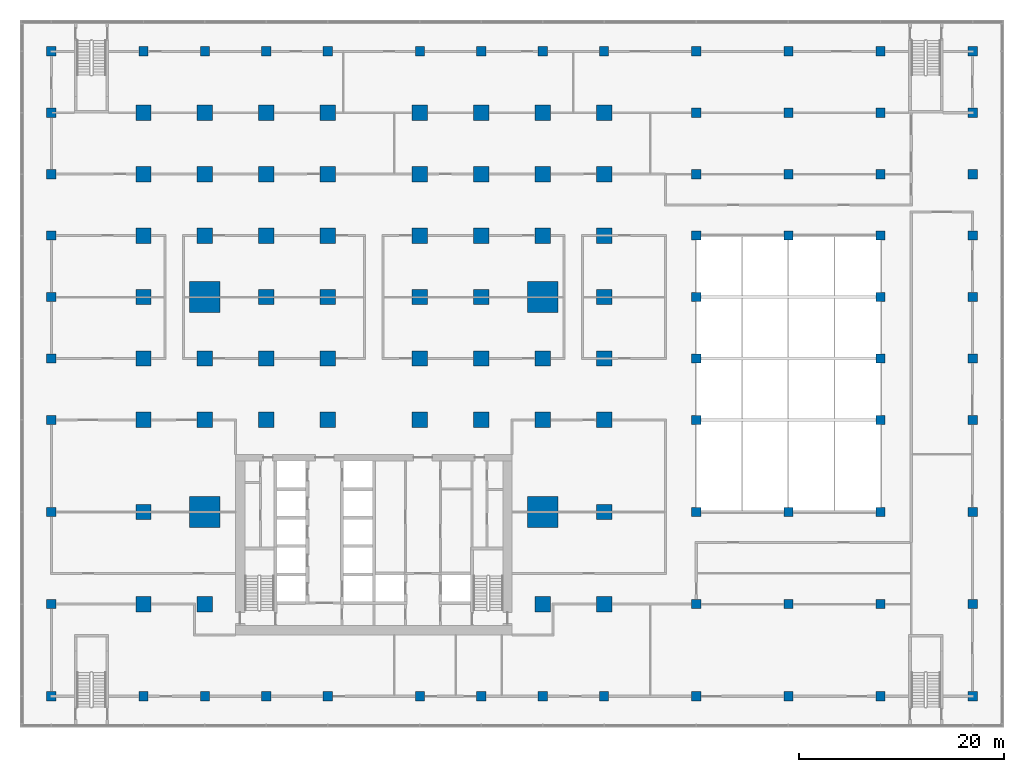
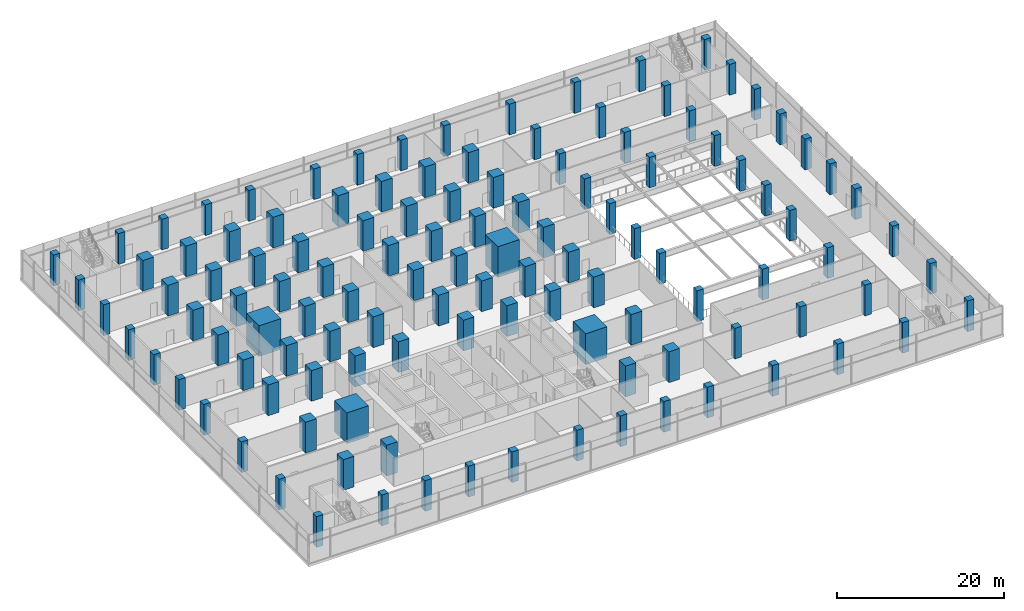
# One storey, part 1 of 22: 119 columns.
"""IFC4 building model written with IfcOpenShell, lengths in metres."""

from ifc_helpers import new_model, si_unit, direction, frame, origin, origin_2d, place, context, subcontext, project, spatial, rectangle, extrude, material, material_profile, profile_set, type_object, element, save


model = new_model("IFC4")

# Units and contexts
model_context = context("Model", 3, precision=1e-05, world=origin(), true_north=direction((0.0, 1.0)))
body_context = subcontext(model_context, "Body", "Model", "MODEL_VIEW")
ifc_project = project(units=[si_unit("LENGTHUNIT", "METRE"), si_unit("AREAUNIT", "SQUARE_METRE"), si_unit("VOLUMEUNIT", "CUBIC_METRE"), si_unit("PLANEANGLEUNIT", "RADIAN"), si_unit("MASSUNIT", "GRAM", prefix="KILO")], contexts=[model_context])

# Site, building, storey
site_placement = place(None, origin())
site = spatial("IfcSite", under=ifc_project, at=site_placement, CompositionType="ELEMENT")
building_placement = place(site_placement, origin())
building = spatial("IfcBuilding", under=site, at=building_placement, Name="Finial Court Residences", CompositionType="ELEMENT")
storey_placement = place(building_placement, frame((0.0, 0.0, 28.0)))
storey = spatial("IfcBuildingStorey", under=building, at=storey_placement, Name="L05", CompositionType="ELEMENT", Elevation=28.0)

# Columns
ifc_material_1 = material(Name="Concrete C80/95", Category="concrete")
ifc_material_profile_1 = material_profile(ifc_material_1, rectangle(XDim=1.5, YDim=1.5, at=origin_2d()), Name="1500x1500")
ifc_profile_set_1 = profile_set([ifc_material_profile_1], Name="Concrete C80/95")
column_type_1 = type_object("IfcColumnType", Name="Interior column 1500x1500 Concrete C80/95", PredefinedType="COLUMN", material=ifc_profile_set_1)
for number, where, z_axis, x_axis, name in (
    (1, (-22.5, -22.5, 0.0), (0.0, 0.0, 1.0), (1.0, 0.0, 0.0), "S:COL:L05:B2"),
    (2, (-22.5, -13.5, 0.0), (0.0, 0.0, 1.0), (1.0, 0.0, 0.0), "S:COL:L05:B3"),
    (3, (-22.5, -4.5, 0.0), (0.0, 0.0, 1.0), (1.0, 0.0, 0.0), "S:COL:L05:B4"),
    (4, (-22.5, 1.5, 0.0), (0.0, 0.0, 1.0), (1.0, 0.0, 0.0), "S:COL:L05:B5"),
    (5, (-22.5, 7.5, 0.0), (0.0, 0.0, 1.0), (1.0, 0.0, 0.0), "S:COL:L05:B6"),
    (6, (-22.5, 13.5, 0.0), (0.0, 0.0, 1.0), (1.0, 0.0, 0.0), "S:COL:L05:B7"),
    (7, (-22.5, 19.5, 0.0), (0.0, 0.0, 1.0), (1.0, 0.0, 0.0), "S:COL:L05:B8"),
    (8, (-22.5, 25.5, 0.0), (0.0, 0.0, 1.0), (1.0, 0.0, 0.0), "S:COL:L05:B9"),
    (9, (-16.5, -22.5, 0.0), (0.0, 0.0, 1.0), (1.0, 0.0, 0.0), "S:COL:L05:C2"),
    (10, (-16.5, -4.5, 0.0), (0.0, 0.0, 1.0), (1.0, 0.0, 0.0), "S:COL:L05:C4"),
    (11, (-16.5, 1.5, 0.0), (0.0, 0.0, 1.0), (1.0, 0.0, 0.0), "S:COL:L05:C5"),
    (12, (-16.5, 13.5, 0.0), (0.0, 0.0, 1.0), (1.0, 0.0, 0.0), "S:COL:L05:C7"),
    (13, (-16.5, 19.5, 0.0), (0.0, 0.0, 1.0), (1.0, 0.0, 0.0), "S:COL:L05:C8"),
    (14, (-16.5, 25.5, 0.0), (0.0, 0.0, 1.0), (1.0, 0.0, 0.0), "S:COL:L05:C9"),
    (15, (-10.5, -4.5, 0.0), (0.0, 0.0, 1.0), (1.0, 0.0, 0.0), "S:COL:L05:D4"),
    (16, (-10.5, 1.5, 0.0), (0.0, 0.0, 1.0), (1.0, 0.0, 0.0), "S:COL:L05:D5"),
    (17, (-10.5, 7.5, 0.0), (0.0, 0.0, 1.0), (1.0, 0.0, 0.0), "S:COL:L05:D6"),
    (18, (-10.5, 13.5, 0.0), (0.0, 0.0, 1.0), (1.0, 0.0, 0.0), "S:COL:L05:D7"),
    (19, (-10.5, 19.5, 0.0), (0.0, 0.0, 1.0), (1.0, 0.0, 0.0), "S:COL:L05:D8"),
    (20, (-10.5, 25.5, 0.0), (0.0, 0.0, 1.0), (1.0, 0.0, 0.0), "S:COL:L05:D9"),
    (21, (-4.5, -4.5, 0.0), (0.0, 0.0, 1.0), (1.0, 0.0, 0.0), "S:COL:L05:E4"),
    (22, (-4.5, 1.5, 0.0), (0.0, 0.0, 1.0), (1.0, 0.0, 0.0), "S:COL:L05:E5"),
    (23, (-4.5, 7.5, 0.0), (0.0, 0.0, 1.0), (1.0, 0.0, 0.0), "S:COL:L05:E6"),
    (24, (-4.5, 13.5, 0.0), (0.0, 0.0, 1.0), (1.0, 0.0, 0.0), "S:COL:L05:E7"),
    (25, (-4.5, 19.5, 0.0), (0.0, 0.0, 1.0), (1.0, 0.0, 0.0), "S:COL:L05:E8"),
    (26, (-4.5, 25.5, 0.0), (0.0, 0.0, 1.0), (1.0, 0.0, 0.0), "S:COL:L05:E9"),
    (27, (4.5, -4.5, 0.0), (0.0, 0.0, 1.0), (1.0, 0.0, 0.0), "S:COL:L05:F4"),
    (28, (4.5, 1.5, 0.0), (0.0, 0.0, 1.0), (1.0, 0.0, 0.0), "S:COL:L05:F5"),
    (29, (4.5, 7.5, 0.0), (0.0, 0.0, 1.0), (1.0, 0.0, 0.0), "S:COL:L05:F6"),
    (30, (4.5, 13.5, 0.0), (0.0, 0.0, 1.0), (1.0, 0.0, 0.0), "S:COL:L05:F7"),
    (31, (4.5, 19.5, 0.0), (0.0, 0.0, 1.0), (1.0, 0.0, 0.0), "S:COL:L05:F8"),
    (32, (4.5, 25.5, 0.0), (0.0, 0.0, 1.0), (1.0, 0.0, 0.0), "S:COL:L05:F9"),
    (33, (10.5, -4.5, 0.0), (0.0, 0.0, 1.0), (1.0, 0.0, 0.0), "S:COL:L05:G4"),
    (34, (10.5, 1.5, 0.0), (0.0, 0.0, 1.0), (1.0, 0.0, 0.0), "S:COL:L05:G5"),
    (35, (10.5, 7.5, 0.0), (0.0, 0.0, 1.0), (1.0, 0.0, 0.0), "S:COL:L05:G6"),
    (36, (10.5, 13.5, 0.0), (0.0, 0.0, 1.0), (1.0, 0.0, 0.0), "S:COL:L05:G7"),
    (37, (10.5, 19.5, 0.0), (0.0, 0.0, 1.0), (1.0, 0.0, 0.0), "S:COL:L05:G8"),
    (38, (10.5, 25.5, 0.0), (0.0, 0.0, 1.0), (1.0, 0.0, 0.0), "S:COL:L05:G9"),
    (39, (16.5, -22.5, 0.0), (0.0, 0.0, 1.0), (1.0, 0.0, 0.0), "S:COL:L05:H2"),
    (40, (16.5, -4.5, 0.0), (0.0, 0.0, 1.0), (1.0, 0.0, 0.0), "S:COL:L05:H4"),
    (41, (16.5, 1.5, 0.0), (0.0, 0.0, 1.0), (1.0, 0.0, 0.0), "S:COL:L05:H5"),
    (42, (16.5, 13.5, 0.0), (0.0, 0.0, 1.0), (1.0, 0.0, 0.0), "S:COL:L05:H7"),
    (43, (16.5, 19.5, 0.0), (0.0, 0.0, 1.0), (1.0, 0.0, 0.0), "S:COL:L05:H8"),
    (44, (16.5, 25.5, 0.0), (0.0, 0.0, 1.0), (1.0, 0.0, 0.0), "S:COL:L05:H9"),
    (45, (22.5, -22.5, 0.0), (0.0, 0.0, 1.0), (1.0, 0.0, 0.0), "S:COL:L05:I2"),
    (46, (22.5, -13.5, 0.0), (0.0, 0.0, 1.0), (1.0, 0.0, 0.0), "S:COL:L05:I3"),
    (47, (22.5, -4.5, 0.0), (0.0, 0.0, 1.0), (1.0, 0.0, 0.0), "S:COL:L05:I4"),
    (48, (22.5, 1.5, 0.0), (0.0, 0.0, 1.0), (1.0, 0.0, 0.0), "S:COL:L05:I5"),
    (49, (22.5, 7.5, 0.0), (0.0, 0.0, 1.0), (1.0, 0.0, 0.0), "S:COL:L05:I6"),
    (50, (22.5, 13.5, 0.0), (0.0, 0.0, 1.0), (1.0, 0.0, 0.0), "S:COL:L05:I7"),
    (51, (22.5, 19.5, 0.0), (0.0, 0.0, 1.0), (1.0, 0.0, 0.0), "S:COL:L05:I8"),
    (52, (22.5, 25.5, 0.0), (0.0, 0.0, 1.0), (1.0, 0.0, 0.0), "S:COL:L05:I9"),
):
    element("IfcColumn", number, at=place(storey_placement, frame(where, z_axis=z_axis, x_axis=x_axis)), inside=storey, type_object=column_type_1, Name=name, PredefinedType="COLUMN", context=body_context, shape_type="SweptSolid", body=[
        extrude(rectangle(XDim=1.5, YDim=1.5, at=origin_2d()), origin(), (0.0, 0.0, 1.0), 4.5),
    ])
ifc_material_profile_2 = material_profile(ifc_material_1, rectangle(XDim=3.0, YDim=3.0, at=origin_2d()), Name="3000x3000")
ifc_profile_set_2 = profile_set([ifc_material_profile_2], Name="Concrete C80/95")
column_type_2 = type_object("IfcColumnType", Name="Mega column 3000x3000 Concrete C80/95", PredefinedType="COLUMN", material=ifc_profile_set_2)
for number, where, z_axis, x_axis, name in (
    (53, (-16.5, -13.5, 0.0), (0.0, 0.0, 1.0), (1.0, 0.0, 0.0), "S:COL:L05:C3"),
    (54, (-16.5, 7.5, 0.0), (0.0, 0.0, 1.0), (1.0, 0.0, 0.0), "S:COL:L05:C6"),
    (55, (16.5, -13.5, 0.0), (0.0, 0.0, 1.0), (1.0, 0.0, 0.0), "S:COL:L05:H3"),
    (56, (16.5, 7.5, 0.0), (0.0, 0.0, 1.0), (1.0, 0.0, 0.0), "S:COL:L05:H6"),
):
    element("IfcColumn", number, at=place(storey_placement, frame(where, z_axis=z_axis, x_axis=x_axis)), inside=storey, type_object=column_type_2, Name=name, PredefinedType="COLUMN", context=body_context, shape_type="SweptSolid", body=[
        extrude(rectangle(XDim=3.0, YDim=3.0, at=origin_2d()), origin(), (0.0, 0.0, 1.0), 4.5),
    ])
ifc_material_2 = material(Name="Concrete C50/60", Category="concrete")
ifc_material_profile_3 = material_profile(ifc_material_2, rectangle(XDim=0.89990234375, YDim=0.89990234375, at=origin_2d()), Name="900x900")
ifc_profile_set_3 = profile_set([ifc_material_profile_3], Name="Concrete C50/60")
column_type_3 = type_object("IfcColumnType", Name="Podium column 900x900 Concrete C50/60", PredefinedType="COLUMN", material=ifc_profile_set_3)
for number, where, z_axis, x_axis, name in (
    (57, (-31.5, -31.5, 0.0), (0.0, 0.0, 1.0), (1.0, 0.0, 0.0), "S:COL:L05:A1"),
    (58, (-31.5, -22.5, 0.0), (0.0, 0.0, 1.0), (1.0, 0.0, 0.0), "S:COL:L05:A2"),
    (59, (-31.5, -13.5, 0.0), (0.0, 0.0, 1.0), (1.0, 0.0, 0.0), "S:COL:L05:A3"),
    (60, (-31.5, -4.5, 0.0), (0.0, 0.0, 1.0), (1.0, 0.0, 0.0), "S:COL:L05:A4"),
    (61, (-31.5, 1.5, 0.0), (0.0, 0.0, 1.0), (1.0, 0.0, 0.0), "S:COL:L05:A5"),
    (62, (-31.5, 7.5, 0.0), (0.0, 0.0, 1.0), (1.0, 0.0, 0.0), "S:COL:L05:A6"),
    (63, (-31.5, 13.5, 0.0), (0.0, 0.0, 1.0), (1.0, 0.0, 0.0), "S:COL:L05:A7"),
    (64, (-31.5, 19.5, 0.0), (0.0, 0.0, 1.0), (1.0, 0.0, 0.0), "S:COL:L05:A8"),
    (65, (-31.5, 25.5, 0.0), (0.0, 0.0, 1.0), (1.0, 0.0, 0.0), "S:COL:L05:A9"),
    (66, (-31.5, 31.5, 0.0), (0.0, 0.0, 1.0), (1.0, 0.0, 0.0), "S:COL:L05:A10"),
    (67, (-22.5, -31.5, 0.0), (0.0, 0.0, 1.0), (1.0, 0.0, 0.0), "S:COL:L05:B1"),
    (68, (-22.5, 31.5, 0.0), (0.0, 0.0, 1.0), (1.0, 0.0, 0.0), "S:COL:L05:B10"),
    (69, (-16.5, -31.5, 0.0), (0.0, 0.0, 1.0), (1.0, 0.0, 0.0), "S:COL:L05:C1"),
    (70, (-16.5, 31.5, 0.0), (0.0, 0.0, 1.0), (1.0, 0.0, 0.0), "S:COL:L05:C10"),
    (71, (-10.5, -31.5, 0.0), (0.0, 0.0, 1.0), (1.0, 0.0, 0.0), "S:COL:L05:D1"),
    (72, (-10.5, 31.5, 0.0), (0.0, 0.0, 1.0), (1.0, 0.0, 0.0), "S:COL:L05:D10"),
    (73, (-4.5, -31.5, 0.0), (0.0, 0.0, 1.0), (1.0, 0.0, 0.0), "S:COL:L05:E1"),
    (74, (-4.5, 31.5, 0.0), (0.0, 0.0, 1.0), (1.0, 0.0, 0.0), "S:COL:L05:E10"),
    (75, (4.5, -31.5, 0.0), (0.0, 0.0, 1.0), (1.0, 0.0, 0.0), "S:COL:L05:F1"),
    (76, (4.5, 31.5, 0.0), (0.0, 0.0, 1.0), (1.0, 0.0, 0.0), "S:COL:L05:F10"),
    (77, (10.5, -31.5, 0.0), (0.0, 0.0, 1.0), (1.0, 0.0, 0.0), "S:COL:L05:G1"),
    (78, (10.5, 31.5, 0.0), (0.0, 0.0, 1.0), (1.0, 0.0, 0.0), "S:COL:L05:G10"),
    (79, (16.5, -31.5, 0.0), (0.0, 0.0, 1.0), (1.0, 0.0, 0.0), "S:COL:L05:H1"),
    (80, (16.5, 31.5, 0.0), (0.0, 0.0, 1.0), (1.0, 0.0, 0.0), "S:COL:L05:H10"),
    (81, (22.5, -31.5, 0.0), (0.0, 0.0, 1.0), (1.0, 0.0, 0.0), "S:COL:L05:I1"),
    (82, (22.5, 31.5, 0.0), (0.0, 0.0, 1.0), (1.0, 0.0, 0.0), "S:COL:L05:I10"),
    (83, (31.5, -31.5, 0.0), (0.0, 0.0, 1.0), (1.0, 0.0, 0.0), "S:COL:L05:J1"),
    (84, (31.5, -22.5, 0.0), (0.0, 0.0, 1.0), (1.0, 0.0, 0.0), "S:COL:L05:J2"),
    (85, (31.5, -13.5, 0.0), (0.0, 0.0, 1.0), (1.0, 0.0, 0.0), "S:COL:L05:J3"),
    (86, (31.5, -4.5, 0.0), (0.0, 0.0, 1.0), (1.0, 0.0, 0.0), "S:COL:L05:J4"),
    (87, (31.5, 1.5, 0.0), (0.0, 0.0, 1.0), (1.0, 0.0, 0.0), "S:COL:L05:J5"),
    (88, (31.5, 7.5, 0.0), (0.0, 0.0, 1.0), (1.0, 0.0, 0.0), "S:COL:L05:J6"),
    (89, (31.5, 13.5, 0.0), (0.0, 0.0, 1.0), (1.0, 0.0, 0.0), "S:COL:L05:J7"),
    (90, (31.5, 19.5, 0.0), (0.0, 0.0, 1.0), (1.0, 0.0, 0.0), "S:COL:L05:J8"),
    (91, (31.5, 25.5, 0.0), (0.0, 0.0, 1.0), (1.0, 0.0, 0.0), "S:COL:L05:J9"),
    (92, (31.5, 31.5, 0.0), (0.0, 0.0, 1.0), (1.0, 0.0, 0.0), "S:COL:L05:J10"),
    (93, (40.5, -31.5, 0.0), (0.0, 0.0, 1.0), (1.0, 0.0, 0.0), "S:COL:L05:K1"),
    (94, (40.5, -22.5, 0.0), (0.0, 0.0, 1.0), (1.0, 0.0, 0.0), "S:COL:L05:K2"),
    (95, (40.5, -13.5, 0.0), (0.0, 0.0, 1.0), (1.0, 0.0, 0.0), "S:COL:L05:K3"),
    (96, (40.5, 13.5, 0.0), (0.0, 0.0, 1.0), (1.0, 0.0, 0.0), "S:COL:L05:K7"),
    (97, (40.5, 19.5, 0.0), (0.0, 0.0, 1.0), (1.0, 0.0, 0.0), "S:COL:L05:K8"),
    (98, (40.5, 25.5, 0.0), (0.0, 0.0, 1.0), (1.0, 0.0, 0.0), "S:COL:L05:K9"),
    (99, (40.5, 31.5, 0.0), (0.0, 0.0, 1.0), (1.0, 0.0, 0.0), "S:COL:L05:K10"),
    (100, (49.5, -31.5, 0.0), (0.0, 0.0, 1.0), (1.0, 0.0, 0.0), "S:COL:L05:L1"),
    (101, (49.5, -22.5, 0.0), (0.0, 0.0, 1.0), (1.0, 0.0, 0.0), "S:COL:L05:L2"),
    (102, (49.5, -13.5, 0.0), (0.0, 0.0, 1.0), (1.0, 0.0, 0.0), "S:COL:L05:L3"),
    (103, (49.5, -4.5, 0.0), (0.0, 0.0, 1.0), (1.0, 0.0, 0.0), "S:COL:L05:L4"),
    (104, (49.5, 1.5, 0.0), (0.0, 0.0, 1.0), (1.0, 0.0, 0.0), "S:COL:L05:L5"),
    (105, (49.5, 7.5, 0.0), (0.0, 0.0, 1.0), (1.0, 0.0, 0.0), "S:COL:L05:L6"),
    (106, (49.5, 13.5, 0.0), (0.0, 0.0, 1.0), (1.0, 0.0, 0.0), "S:COL:L05:L7"),
    (107, (49.5, 19.5, 0.0), (0.0, 0.0, 1.0), (1.0, 0.0, 0.0), "S:COL:L05:L8"),
    (108, (49.5, 25.5, 0.0), (0.0, 0.0, 1.0), (1.0, 0.0, 0.0), "S:COL:L05:L9"),
    (109, (49.5, 31.5, 0.0), (0.0, 0.0, 1.0), (1.0, 0.0, 0.0), "S:COL:L05:L10"),
    (110, (58.5, -31.5, 0.0), (0.0, 0.0, 1.0), (1.0, 0.0, 0.0), "S:COL:L05:M1"),
    (111, (58.5, -22.5, 0.0), (0.0, 0.0, 1.0), (1.0, 0.0, 0.0), "S:COL:L05:M2"),
    (112, (58.5, -13.5, 0.0), (0.0, 0.0, 1.0), (1.0, 0.0, 0.0), "S:COL:L05:M3"),
    (113, (58.5, -4.5, 0.0), (0.0, 0.0, 1.0), (1.0, 0.0, 0.0), "S:COL:L05:M4"),
    (114, (58.5, 1.5, 0.0), (0.0, 0.0, 1.0), (1.0, 0.0, 0.0), "S:COL:L05:M5"),
    (115, (58.5, 7.5, 0.0), (0.0, 0.0, 1.0), (1.0, 0.0, 0.0), "S:COL:L05:M6"),
    (116, (58.5, 13.5, 0.0), (0.0, 0.0, 1.0), (1.0, 0.0, 0.0), "S:COL:L05:M7"),
    (117, (58.5, 19.5, 0.0), (0.0, 0.0, 1.0), (1.0, 0.0, 0.0), "S:COL:L05:M8"),
    (118, (58.5, 25.5, 0.0), (0.0, 0.0, 1.0), (1.0, 0.0, 0.0), "S:COL:L05:M9"),
    (119, (58.5, 31.5, 0.0), (0.0, 0.0, 1.0), (1.0, 0.0, 0.0), "S:COL:L05:M10"),
):
    element("IfcColumn", number, at=place(storey_placement, frame(where, z_axis=z_axis, x_axis=x_axis)), inside=storey, type_object=column_type_3, Name=name, PredefinedType="COLUMN", context=body_context, shape_type="SweptSolid", body=[
        extrude(rectangle(XDim=0.89990234375, YDim=0.89990234375, at=origin_2d()), origin(), (0.0, 0.0, 1.0), 4.5),
    ])

save(model, "model.ifc")
